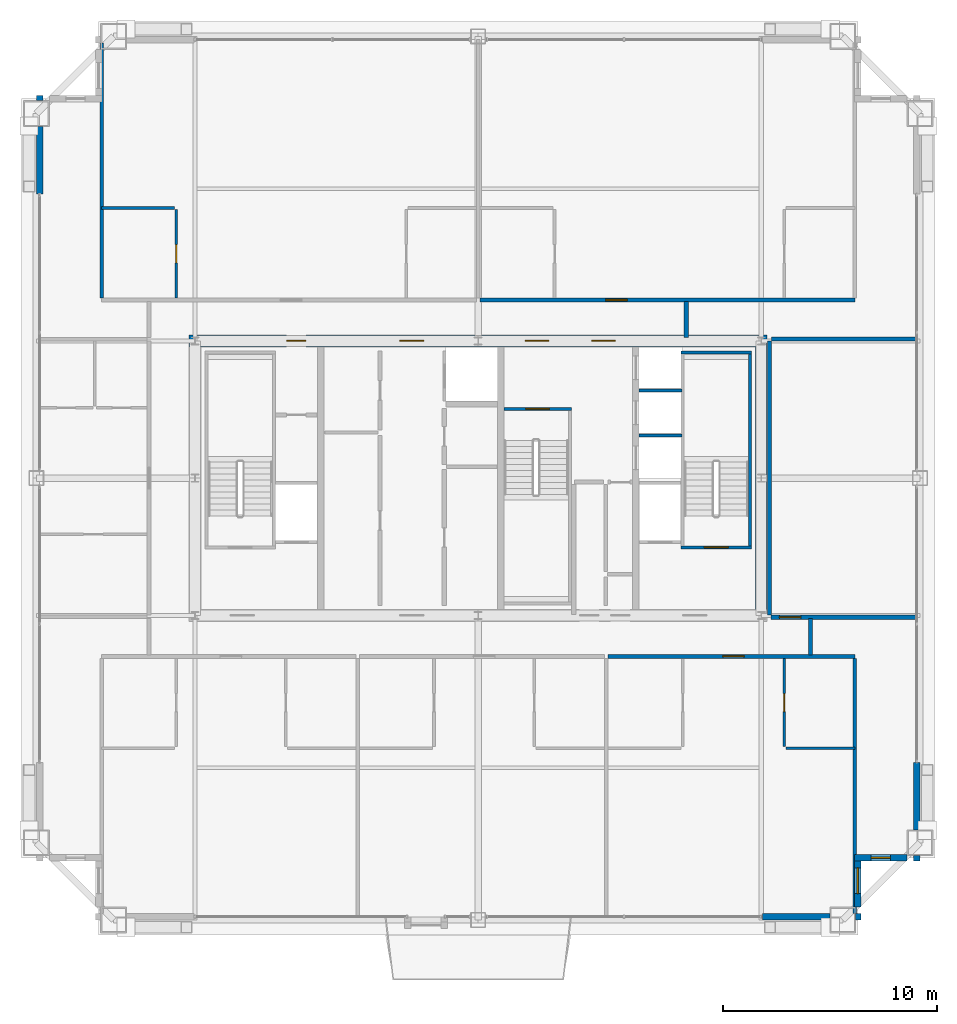
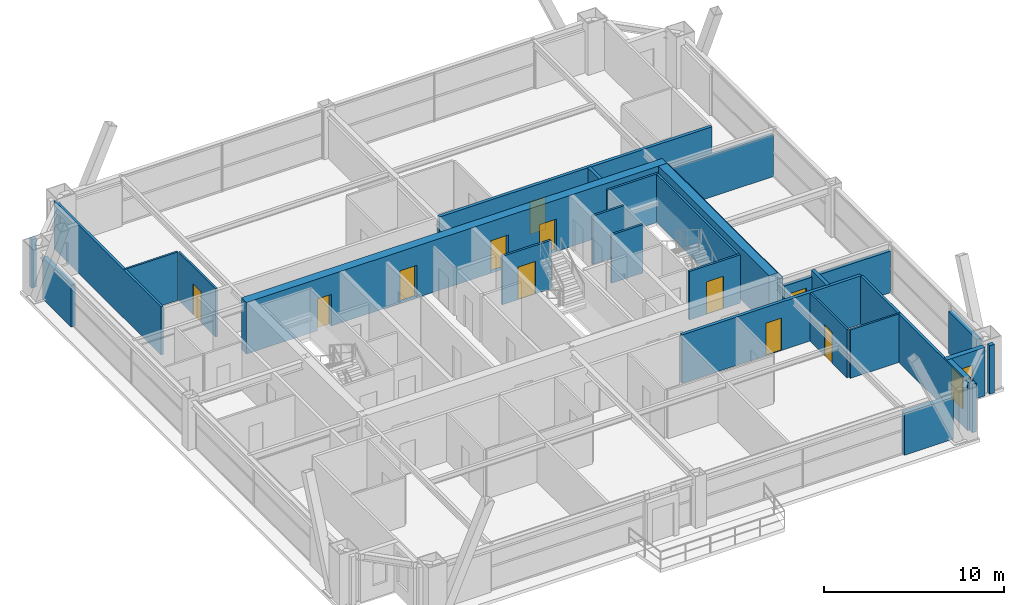
# One storey, part 33 of 35: 29 walls, 11 doors, 2 windows, 13 openings.
"""IFC4 building model written with IfcOpenShell, lengths in metres."""

from ifc_helpers import new_model, si_unit, direction, frame, frame_2d, origin, place, context, subcontext, project, spatial, rectangle, extrude, source, transform, mapped, material, layer, layer_set, type_object, element, fill, save


model = new_model("IFC4")

# Units and contexts
model_context = context("Model", 3, precision=1e-05, world=origin(), true_north=direction((0.0, 1.0)))
body_context = subcontext(model_context, "Body", "Model", "MODEL_VIEW")
ifc_project = project(units=[si_unit("LENGTHUNIT", "METRE"), si_unit("AREAUNIT", "SQUARE_METRE"), si_unit("VOLUMEUNIT", "CUBIC_METRE"), si_unit("PLANEANGLEUNIT", "RADIAN"), si_unit("MASSUNIT", "GRAM", prefix="KILO"), si_unit("THERMODYNAMICTEMPERATUREUNIT", "KELVIN"), si_unit("POWERUNIT", "WATT")], contexts=[model_context])

# Site, building, storey
site_placement = place(None, origin())
site = spatial("IfcSite", under=ifc_project, at=site_placement, CompositionType="ELEMENT")
building_placement = place(site_placement, origin())
building = spatial("IfcBuilding", under=site, at=building_placement, Name="Yuzanri Waterfront Tower", CompositionType="ELEMENT")
storey_placement = place(building_placement, frame((0.0, 0.0, 271.60009765625)))
storey = spatial("IfcBuildingStorey", under=building, at=storey_placement, Name="L72", CompositionType="ELEMENT", Elevation=271.60009765625)

# Wall, opening, door
ifc_material_1 = material(Name="Moisture-Resistant Gypsum Stud Wall", Category="gypsum")
ifc_layer_1 = layer(ifc_material_1, 0.1201171875)
ifc_layer_set_1 = layer_set([ifc_layer_1], Name="Moisture-Resistant Gypsum Stud Wall")
wall_type_1 = type_object("IfcWallType", Name="Bathroom and Kitchen Wet Partition 120", PredefinedType="PARTITIONING", material=ifc_layer_set_1)
wall_1_placement = place(storey_placement, frame((51.280029296875, 13.280029296875, 0.0), z_axis=(0.0, 0.0, 1.0), x_axis=(0.0, 1.0, 0.0)))
wall_1 = element("IfcWall", 1, at=wall_1_placement, inside=storey, type_object=wall_type_1, Name="L72 Partition UW-L72-HS3-SUB-2-W", PredefinedType="PARTITIONING", context=body_context, shape_type="SweptSolid", body=[
    extrude(rectangle(XDim=4.10986328125, YDim=0.1201171875, at=frame_2d((2.054931640625, 0.0))), origin(), (0.0, 0.0, 1.0), 3.27978515625),
])
opening_1_placement = place(wall_1_placement, frame((1.6298828125, 0.0, 0.0)))
opening_1 = element("IfcOpeningElement", 2, at=opening_1_placement, cuts=wall_1, Name="Opening ID-0850", PredefinedType="OPENING", context=body_context, shape_type="SweptSolid", body=[
    extrude(rectangle(XDim=0.85009765625, YDim=2.10009765625, at=frame_2d((0.425048828125, 1.050048828125))), frame((0.0, 0.074951171875, 0.0), z_axis=(0.0, -1.0, 0.0), x_axis=(1.0, 0.0, 0.0)), (0.0, 0.0, 1.0), 0.14990234375),
])
ifc_material_2 = material(Name="Moisture-Resistant Lacquered Timber", Category="wood")
door_type_1 = type_object("IfcDoorType", Name="En-Suite Bathroom and Kitchen Swing Door 850x2100", OperationType="NOTDEFINED", PredefinedType="DOOR", material=ifc_material_2)
shared_shape_1 = source(origin(), body_context, "Body", "SweptSolid", [
    extrude(rectangle(XDim=0.85009765625, YDim=2.10009765625, at=frame_2d((0.425048828125, 1.050048828125))), frame((0.0, 0.02490234375, 0.0), z_axis=(0.0, -1.0, 0.0), x_axis=(1.0, 0.0, 0.0)), (0.0, 0.0, 1.0), 0.050048828125),
])
door_1_placement = place(opening_1_placement, origin())
door_1 = element("IfcDoor", 3, at=door_1_placement, inside=storey, type_object=door_type_1, Name="L72 Suite Interior Room Door", OperationType="SINGLE_SWING_LEFT", OverallHeight=2.10009765625, OverallWidth=0.85009765625, PredefinedType="DOOR", context=body_context, shape_type="MappedRepresentation", body=[
    mapped(shared_shape_1, transform((0.0, 0.0, 0.0), scale=1.0)),
])
fill(opening_1, door_1)

wall_2_placement = place(storey_placement, frame((22.919921875, 34.2099609375, 0.0), z_axis=(0.0, 0.0, 1.0), x_axis=(0.0, 1.0, 0.0)))
wall_2 = element("IfcWall", 4, at=wall_2_placement, inside=storey, type_object=wall_type_1, Name="L72 Partition UW-L72-HN1-SUB-1-E", PredefinedType="PARTITIONING", context=body_context, shape_type="SweptSolid", body=[
    extrude(rectangle(XDim=4.110107421875, YDim=0.1201171875, at=frame_2d((2.05517578125, 0.0))), origin(), (0.0, 0.0, 1.0), 3.27978515625),
])
opening_2_placement = place(wall_2_placement, frame((1.6298828125, 0.0, 0.0)))
opening_2 = element("IfcOpeningElement", 5, at=opening_2_placement, cuts=wall_2, Name="Opening ID-0850", PredefinedType="OPENING", context=body_context, shape_type="SweptSolid", body=[
    extrude(rectangle(XDim=0.85009765625, YDim=2.10009765625, at=frame_2d((0.425048828125, 1.050048828125))), frame((0.0, 0.074951171875, 0.0), z_axis=(0.0, -1.0, 0.0), x_axis=(1.0, 0.0, 0.0)), (0.0, 0.0, 1.0), 0.14990234375),
])
door_2_placement = place(opening_2_placement, origin())
door_2 = element("IfcDoor", 6, at=door_2_placement, inside=storey, type_object=door_type_1, Name="L72 Suite Interior Room Door", OperationType="SINGLE_SWING_LEFT", OverallHeight=2.10009765625, OverallWidth=0.85009765625, PredefinedType="DOOR", context=body_context, shape_type="MappedRepresentation", body=[
    mapped(shared_shape_1, transform((0.0, 0.0, 0.0), scale=1.0)),
])
fill(opening_2, door_2)

# Wall, opening, window
ifc_material_3 = material(Name="Honed Chongqing Dark Basalt Stone", Category="masonry")
ifc_layer_2 = layer(ifc_material_3, 0.300048828125)
ifc_layer_set_2 = layer_set([ifc_layer_2], Name="Honed Chongqing Dark Basalt Stone")
wall_type_2 = type_object("IfcWallType", Name="Bronze Rainscreen Insulated Spandrel Portal Wall 300", PredefinedType="SOLIDWALL", material=ifc_layer_set_2)
wall_3_placement = place(storey_placement, frame((54.550048828125, 8.10009765625, 0.0), z_axis=(0.0, 0.0, 1.0), x_axis=(1.0, 0.0, 0.0)))
wall_3 = element("IfcWall", 7, at=wall_3_placement, inside=storey, type_object=wall_type_2, Name="L72 Notched Corner Masonry Wall SE-X", PredefinedType="SOLIDWALL", context=body_context, shape_type="SweptSolid", body=[
    extrude(rectangle(XDim=2.449951171875, YDim=0.300048828125, at=frame_2d((1.22509765625, 0.0))), origin(), (0.0, 0.0, 1.0), 3.27978515625),
])
opening_3_placement = place(wall_3_placement, frame((0.77490234375, 0.0, 0.85009765625)))
opening_3 = element("IfcOpeningElement", 8, at=opening_3_placement, cuts=wall_3, Name="Opening WN-05", PredefinedType="OPENING", context=body_context, shape_type="SweptSolid", body=[
    extrude(rectangle(XDim=0.89990234375, YDim=1.5, at=frame_2d((0.449951171875, 0.75))), frame((0.0, 0.1650390625, 0.0), z_axis=(0.0, -1.0, 0.0), x_axis=(1.0, 0.0, 0.0)), (0.0, 0.0, 1.0), 0.329833984375),
])
ifc_material_4 = material(Name="Double-Silver Low-E Insulated Glass", Category="glass")
window_type_1 = type_object("IfcWindowType", Name="Anodized Bronze Service and Stairwell Smoke-Vent Window 900x1500", PartitioningType="SINGLE_PANEL", PredefinedType="WINDOW", material=ifc_material_4)
shared_shape_2 = source(origin(), body_context, "Body", "SweptSolid", [
    extrude(rectangle(XDim=0.89990234375, YDim=1.5, at=frame_2d((0.449951171875, 0.75))), frame((0.0, 0.030029296875, 0.0), z_axis=(0.0, -1.0, 0.0), x_axis=(1.0, 0.0, 0.0)), (0.0, 0.0, 1.0), 0.06005859375),
])
window_1_placement = place(opening_3_placement, origin())
window_1 = element("IfcWindow", 9, at=window_1_placement, inside=storey, type_object=window_type_1, Name="L72 Notched Corner Window SE-X", OverallHeight=1.5, OverallWidth=0.89990234375, PartitioningType="SINGLE_PANEL", PredefinedType="WINDOW", context=body_context, shape_type="MappedRepresentation", body=[
    mapped(shared_shape_2, transform((0.0, 0.0, 0.0), scale=1.0)),
])
fill(opening_3, window_1)

wall_4_placement = place(storey_placement, frame((54.699951171875, 5.800048828125, 0.0), z_axis=(0.0, 0.0, 1.0), x_axis=(0.0, 1.0, 0.0)))
wall_4 = element("IfcWall", 10, at=wall_4_placement, inside=storey, type_object=wall_type_2, Name="L72 Notched Corner Masonry Wall SE-Y", PredefinedType="SOLIDWALL", context=body_context, shape_type="SweptSolid", body=[
    extrude(rectangle(XDim=2.449951171875, YDim=0.300048828125, at=frame_2d((1.22509765625, 0.0))), origin(), (0.0, 0.0, 1.0), 3.27978515625),
])
opening_4_placement = place(wall_4_placement, frame((0.625, 0.0, 0.85009765625)))
opening_4 = element("IfcOpeningElement", 11, at=opening_4_placement, cuts=wall_4, Name="Opening WN-02", PredefinedType="OPENING", context=body_context, shape_type="SweptSolid", body=[
    extrude(rectangle(XDim=1.199951171875, YDim=2.10009765625, at=frame_2d((0.60009765625, 1.050048828125))), frame((0.0, 0.1650390625, 0.0), z_axis=(0.0, -1.0, 0.0), x_axis=(1.0, 0.0, 0.0)), (0.0, 0.0, 1.0), 0.329833984375),
])
ifc_material_5 = material(Name="Double-Silver Low-E Insulated Glass", Category="glass")
window_type_2 = type_object("IfcWindowType", Name="Anodized Bronze Notched Corner Deep-Set Slot Window 1200x2100", PartitioningType="SINGLE_PANEL", PredefinedType="WINDOW", material=ifc_material_5)
shared_shape_3 = source(origin(), body_context, "Body", "SweptSolid", [
    extrude(rectangle(XDim=1.199951171875, YDim=2.10009765625, at=frame_2d((0.60009765625, 1.050048828125))), frame((0.0, 0.030029296875, 0.0), z_axis=(0.0, -1.0, 0.0), x_axis=(1.0, 0.0, 0.0)), (0.0, 0.0, 1.0), 0.06005859375),
])
window_2_placement = place(opening_4_placement, origin())
window_2 = element("IfcWindow", 12, at=window_2_placement, inside=storey, type_object=window_type_2, Name="L72 Notched Corner Window SE-Y", OverallHeight=2.10009765625, OverallWidth=1.199951171875, PartitioningType="SINGLE_PANEL", PredefinedType="WINDOW", context=body_context, shape_type="MappedRepresentation", body=[
    mapped(shared_shape_3, transform((0.0, 0.0, 0.0), scale=1.0)),
])
fill(opening_4, window_2)

# Wall, openings, doors
ifc_material_6 = material(Name="Concrete C50", Category="concrete")
ifc_layer_3 = layer(ifc_material_6, 0.550048828125)
ifc_layer_set_3 = layer_set([ifc_layer_3], Name="Concrete C50")
wall_type_3 = type_object("IfcWallType", Name="Concrete C50 Upper-Mid Zone Core Shear Wall 550", PredefinedType="SHEAR", material=ifc_layer_set_3)
wall_5_placement = place(storey_placement, frame((23.52490234375, 32.199951171875, 0.0), z_axis=(0.0, 0.0, 1.0), x_axis=(1.0, 0.0, 0.0)))
wall_5 = element("IfcWall", 13, at=wall_5_placement, inside=storey, type_object=wall_type_3, Name="L72 Core North Shear Wall", PredefinedType="SHEAR", context=body_context, shape_type="SweptSolid", body=[
    extrude(rectangle(XDim=26.9501953125, YDim=0.550048828125, at=frame_2d((13.47509765625, 0.0))), origin(), (0.0, 0.0, 1.0), 3.5),
])
opening_5_placement = place(wall_5_placement, frame((4.544921875, 0.0, 0.0)))
opening_5 = element("IfcOpeningElement", 14, at=opening_5_placement, cuts=wall_5, Name="Opening FD-0900", PredefinedType="OPENING", context=body_context, shape_type="SweptSolid", body=[
    extrude(rectangle(XDim=0.89990234375, YDim=2.14990234375, at=frame_2d((0.449951171875, 1.074951171875))), frame((0.0, 0.2900390625, 0.0), z_axis=(0.0, -1.0, 0.0), x_axis=(1.0, 0.0, 0.0)), (0.0, 0.0, 1.0), 0.579833984375),
])
opening_6_placement = place(wall_5_placement, frame((9.824951171875, 0.0, 0.0)))
opening_6 = element("IfcOpeningElement", 15, at=opening_6_placement, cuts=wall_5, Name="Opening FD-1100", PredefinedType="OPENING", context=body_context, shape_type="SweptSolid", body=[
    extrude(rectangle(XDim=1.10009765625, YDim=2.199951171875, at=frame_2d((0.550048828125, 1.10009765625))), frame((0.0, 0.2900390625, 0.0), z_axis=(0.0, -1.0, 0.0), x_axis=(1.0, 0.0, 0.0)), (0.0, 0.0, 1.0), 0.579833984375),
])
opening_7_placement = place(wall_5_placement, frame((15.675048828125, 0.0, 0.0)))
opening_7 = element("IfcOpeningElement", 16, at=opening_7_placement, cuts=wall_5, Name="Opening FD-1100", PredefinedType="OPENING", context=body_context, shape_type="SweptSolid", body=[
    extrude(rectangle(XDim=1.10009765625, YDim=2.199951171875, at=frame_2d((0.550048828125, 1.10009765625))), frame((0.0, 0.2900390625, 0.0), z_axis=(0.0, -1.0, 0.0), x_axis=(1.0, 0.0, 0.0)), (0.0, 0.0, 1.0), 0.579833984375),
])
opening_8_placement = place(wall_5_placement, frame((18.77490234375, 0.0, 0.0)))
opening_8 = element("IfcOpeningElement", 17, at=opening_8_placement, cuts=wall_5, Name="Opening FD-1100", PredefinedType="OPENING", context=body_context, shape_type="SweptSolid", body=[
    extrude(rectangle(XDim=1.10009765625, YDim=2.199951171875, at=frame_2d((0.550048828125, 1.10009765625))), frame((0.0, 0.2900390625, 0.0), z_axis=(0.0, -1.0, 0.0), x_axis=(1.0, 0.0, 0.0)), (0.0, 0.0, 1.0), 0.579833984375),
])
ifc_material_7 = material(Name="Painted Galvanized Fire Steel", Category="steel")
door_type_2 = type_object("IfcDoorType", Name="Smoke-Proof Stair and Lobby Fire Door 1100x2200", OperationType="NOTDEFINED", PredefinedType="DOOR", material=ifc_material_7)
shared_shape_4 = source(origin(), body_context, "Body", "SweptSolid", [
    extrude(rectangle(XDim=1.10009765625, YDim=2.199951171875, at=frame_2d((0.550048828125, 1.10009765625))), frame((0.0, 0.02490234375, 0.0), z_axis=(0.0, -1.0, 0.0), x_axis=(1.0, 0.0, 0.0)), (0.0, 0.0, 1.0), 0.050048828125),
])
door_3_placement = place(opening_6_placement, origin())
door_3 = element("IfcDoor", 18, at=door_3_placement, inside=storey, type_object=door_type_2, Name="L72 Central Lift Lobby North Door", OperationType="SINGLE_SWING_RIGHT", OverallHeight=2.199951171875, OverallWidth=1.10009765625, PredefinedType="DOOR", context=body_context, shape_type="MappedRepresentation", body=[
    mapped(shared_shape_4, transform((0.0, 0.0, 0.0), scale=1.0)),
])
fill(opening_6, door_3)
door_4_placement = place(opening_7_placement, origin())
door_4 = element("IfcDoor", 19, at=door_4_placement, inside=storey, type_object=door_type_2, Name="L72 North Stair Lobby Door", OperationType="SINGLE_SWING_LEFT", OverallHeight=2.199951171875, OverallWidth=1.10009765625, PredefinedType="DOOR", context=body_context, shape_type="MappedRepresentation", body=[
    mapped(shared_shape_4, transform((0.0, 0.0, 0.0), scale=1.0)),
])
fill(opening_7, door_4)
door_5_placement = place(opening_8_placement, origin())
door_5 = element("IfcDoor", 20, at=door_5_placement, inside=storey, type_object=door_type_2, Name="L72 High-Rise Lift Lobby North Door", OperationType="SINGLE_SWING_RIGHT", OverallHeight=2.199951171875, OverallWidth=1.10009765625, PredefinedType="DOOR", context=body_context, shape_type="MappedRepresentation", body=[
    mapped(shared_shape_4, transform((0.0, 0.0, 0.0), scale=1.0)),
])
fill(opening_8, door_5)
ifc_material_8 = material(Name="Painted Galvanized Fire Steel", Category="steel")
door_type_3 = type_object("IfcDoorType", Name="Riser and Service Room Fire Door 900x2150", OperationType="NOTDEFINED", PredefinedType="DOOR", material=ifc_material_8)
shared_shape_5 = source(origin(), body_context, "Body", "SweptSolid", [
    extrude(rectangle(XDim=0.89990234375, YDim=2.14990234375, at=frame_2d((0.449951171875, 1.074951171875))), frame((0.0, 0.02490234375, 0.0), z_axis=(0.0, -1.0, 0.0), x_axis=(1.0, 0.0, 0.0)), (0.0, 0.0, 1.0), 0.050048828125),
])
door_6_placement = place(opening_5_placement, origin())
door_6 = element("IfcDoor", 21, at=door_6_placement, inside=storey, type_object=door_type_3, Name="L72 Telecom Riser Door", OperationType="SINGLE_SWING_LEFT", OverallHeight=2.14990234375, OverallWidth=0.89990234375, PredefinedType="DOOR", context=body_context, shape_type="MappedRepresentation", body=[
    mapped(shared_shape_5, transform((0.0, 0.0, 0.0), scale=1.0)),
])
fill(opening_5, door_6)

# Wall, opening, door
ifc_material_9 = material(Name="Concrete C40", Category="concrete")
ifc_layer_4 = layer(ifc_material_9, 0.139892578125)
ifc_layer_set_4 = layer_set([ifc_layer_4], Name="Concrete C40")
wall_type_4 = type_object("IfcWallType", Name="Core Stair Liner and Hoistway Shaft Wall 140", PredefinedType="SOLIDWALL", material=ifc_layer_set_4)
wall_6_placement = place(storey_placement, frame((46.4599609375, 22.570068359375, 0.0), z_axis=(0.0, 0.0, 1.0), x_axis=(1.0, 0.0, 0.0)))
wall_6 = element("IfcWall", 22, at=wall_6_placement, inside=storey, type_object=wall_type_4, Name="L72 Shaft Wall STW-L72-ST-02-S", PredefinedType="SOLIDWALL", context=body_context, shape_type="SweptSolid", body=[
    extrude(rectangle(XDim=3.280029296875, YDim=0.139892578125, at=frame_2d((1.64013671875, 0.0))), origin(), (0.0, 0.0, 1.0), 3.27978515625),
])
opening_9_placement = place(wall_6_placement, frame((1.090087890625, 0.0, 0.0)))
opening_9 = element("IfcOpeningElement", 23, at=opening_9_placement, cuts=wall_6, Name="Opening FD-1100", PredefinedType="OPENING", context=body_context, shape_type="SweptSolid", body=[
    extrude(rectangle(XDim=1.10009765625, YDim=2.199951171875, at=frame_2d((0.550048828125, 1.10009765625))), frame((0.0, 0.0849609375, 0.0), z_axis=(0.0, -1.0, 0.0), x_axis=(1.0, 0.0, 0.0)), (0.0, 0.0, 1.0), 0.169677734375),
])
door_7_placement = place(opening_9_placement, origin())
door_7 = element("IfcDoor", 24, at=door_7_placement, inside=storey, type_object=door_type_2, Name="L72 Stair ST-02 Fire Door", OperationType="SINGLE_SWING_RIGHT", OverallHeight=2.199951171875, OverallWidth=1.10009765625, PredefinedType="DOOR", context=body_context, shape_type="MappedRepresentation", body=[
    mapped(shared_shape_4, transform((0.0, 0.0, 0.0), scale=1.0)),
])
fill(opening_9, door_7)

wall_7_placement = place(storey_placement, frame((38.199951171875, 29.030029296875, 0.0), z_axis=(0.0, 0.0, 1.0), x_axis=(1.0, 0.0, 0.0)))
wall_7 = element("IfcWall", 25, at=wall_7_placement, inside=storey, type_object=wall_type_4, Name="L72 Shaft Wall STW-L72-ST-03-N", PredefinedType="SOLIDWALL", context=body_context, shape_type="SweptSolid", body=[
    extrude(rectangle(XDim=3.14013671875, YDim=0.139892578125, at=frame_2d((1.570068359375, 0.0))), origin(), (0.0, 0.0, 1.0), 3.27978515625),
])
opening_10_placement = place(wall_7_placement, frame((1.02001953125, 0.0, 0.0)))
opening_10 = element("IfcOpeningElement", 26, at=opening_10_placement, cuts=wall_7, Name="Opening FD-1100", PredefinedType="OPENING", context=body_context, shape_type="SweptSolid", body=[
    extrude(rectangle(XDim=1.10009765625, YDim=2.199951171875, at=frame_2d((0.550048828125, 1.10009765625))), frame((0.0, 0.0849609375, 0.0), z_axis=(0.0, -1.0, 0.0), x_axis=(1.0, 0.0, 0.0)), (0.0, 0.0, 1.0), 0.169677734375),
])
door_8_placement = place(opening_10_placement, origin())
door_8 = element("IfcDoor", 27, at=door_8_placement, inside=storey, type_object=door_type_2, Name="L72 Stair ST-03 Fire Door", OperationType="SINGLE_SWING_LEFT", OverallHeight=2.199951171875, OverallWidth=1.10009765625, PredefinedType="DOOR", context=body_context, shape_type="MappedRepresentation", body=[
    mapped(shared_shape_4, transform((0.0, 0.0, 0.0), scale=1.0)),
])
fill(opening_10, door_8)

ifc_material_10 = material(Name="Autoclaved Aerated Concrete Blockwork", Category="masonry")
ifc_layer_5 = layer(ifc_material_10, 0.199951171875)
ifc_layer_set_5 = layer_set([ifc_layer_5], Name="Autoclaved Aerated Concrete Blockwork")
wall_type_5 = type_object("IfcWallType", Name="Corridor and Unit Party Fire Wall 200", PredefinedType="PARTITIONING", material=ifc_layer_set_5)
wall_8_placement = place(storey_placement, frame((43.050048828125, 17.489990234375, 0.0), z_axis=(0.0, 0.0, 1.0), x_axis=(1.0, 0.0, 0.0)))
wall_8 = element("IfcWall", 28, at=wall_8_placement, inside=storey, type_object=wall_type_5, Name="L72 Partition UW-L72-HS3-CN", PredefinedType="PARTITIONING", context=body_context, shape_type="SweptSolid", body=[
    extrude(rectangle(XDim=11.510009765625, YDim=0.199951171875, at=frame_2d((5.7548828125, 0.0))), origin(), (0.0, 0.0, 1.0), 3.27978515625),
])
opening_11_placement = place(wall_8_placement, frame((5.35498046875, 0.0, 0.0)))
opening_11 = element("IfcOpeningElement", 29, at=opening_11_placement, cuts=wall_8, Name="Opening FD-1000", PredefinedType="OPENING", context=body_context, shape_type="SweptSolid", body=[
    extrude(rectangle(XDim=1.0, YDim=2.199951171875, at=frame_2d((0.5, 1.10009765625))), frame((0.0, 0.11474609375, 0.0), z_axis=(0.0, -1.0, 0.0), x_axis=(1.0, 0.0, 0.0)), (0.0, 0.0, 1.0), 0.229736328125),
])
ifc_material_11 = material(Name="Engineered Oak Fire-Rated Timber", Category="wood")
door_type_4 = type_object("IfcDoorType", Name="Guestroom and Apartment Entrance Fire Door 1000x2200", OperationType="NOTDEFINED", PredefinedType="DOOR", material=ifc_material_11)
shared_shape_6 = source(origin(), body_context, "Body", "SweptSolid", [
    extrude(rectangle(XDim=1.0, YDim=2.199951171875, at=frame_2d((0.5, 1.10009765625))), frame((0.0, 0.02490234375, 0.0), z_axis=(0.0, -1.0, 0.0), x_axis=(1.0, 0.0, 0.0)), (0.0, 0.0, 1.0), 0.050048828125),
])
door_9_placement = place(opening_11_placement, origin())
door_9 = element("IfcDoor", 30, at=door_9_placement, inside=storey, type_object=door_type_4, Name="L72 Studio Living and Sleeping Room Entrance Door", OperationType="SINGLE_SWING_LEFT", OverallHeight=2.199951171875, OverallWidth=1.0, PredefinedType="DOOR", context=body_context, shape_type="MappedRepresentation", body=[
    mapped(shared_shape_6, transform((0.0, 0.0, 0.0), scale=1.0)),
])
fill(opening_11, door_9)

wall_9_placement = place(storey_placement, frame((37.080078125, 34.110107421875, 0.0), z_axis=(0.0, 0.0, 1.0), x_axis=(1.0, 0.0, 0.0)))
wall_9 = element("IfcWall", 31, at=wall_9_placement, inside=storey, type_object=wall_type_5, Name="L72 Partition UW-L72-HN2-CS", PredefinedType="PARTITIONING", context=body_context, shape_type="SweptSolid", body=[
    extrude(rectangle(XDim=17.47998046875, YDim=0.199951171875, at=frame_2d((8.739990234375, 0.0))), origin(), (0.0, 0.0, 1.0), 3.27978515625),
])
opening_12_placement = place(wall_9_placement, frame((5.864990234375, 0.0, 0.0)))
opening_12 = element("IfcOpeningElement", 32, at=opening_12_placement, cuts=wall_9, Name="Opening FD-1000", PredefinedType="OPENING", context=body_context, shape_type="SweptSolid", body=[
    extrude(rectangle(XDim=1.0, YDim=2.199951171875, at=frame_2d((0.5, 1.10009765625))), frame((0.0, 0.11474609375, 0.0), z_axis=(0.0, -1.0, 0.0), x_axis=(1.0, 0.0, 0.0)), (0.0, 0.0, 1.0), 0.229736328125),
])
door_10_placement = place(opening_12_placement, origin())
door_10 = element("IfcDoor", 33, at=door_10_placement, inside=storey, type_object=door_type_4, Name="L72 Studio Living and Sleeping Room Entrance Door", OperationType="SINGLE_SWING_LEFT", OverallHeight=2.199951171875, OverallWidth=1.0, PredefinedType="DOOR", context=body_context, shape_type="MappedRepresentation", body=[
    mapped(shared_shape_6, transform((0.0, 0.0, 0.0), scale=1.0)),
])
fill(opening_12, door_10)

wall_10_placement = place(storey_placement, frame((50.64990234375, 19.31005859375, 0.0), z_axis=(0.0, 0.0, 1.0), x_axis=(1.0, 0.0, 0.0)))
wall_10 = element("IfcWall", 34, at=wall_10_placement, inside=storey, type_object=wall_type_5, Name="L72 Partition UW-L72-040-CS", PredefinedType="PARTITIONING", context=body_context, shape_type="SweptSolid", body=[
    extrude(rectangle(XDim=6.800048828125, YDim=0.199951171875, at=frame_2d((3.39990234375, 0.0))), origin(), (0.0, 0.0, 1.0), 2.824951171875),
])
opening_13_placement = place(wall_10_placement, frame((0.39990234375, 0.0, 0.0)))
opening_13 = element("IfcOpeningElement", 35, at=opening_13_placement, cuts=wall_10, Name="Opening FD-1000", PredefinedType="OPENING", context=body_context, shape_type="SweptSolid", body=[
    extrude(rectangle(XDim=1.0, YDim=2.199951171875, at=frame_2d((0.5, 1.10009765625))), frame((0.0, 0.11474609375, 0.0), z_axis=(0.0, -1.0, 0.0), x_axis=(1.0, 0.0, 0.0)), (0.0, 0.0, 1.0), 0.229736328125),
])
door_11_placement = place(opening_13_placement, origin())
door_11 = element("IfcDoor", 36, at=door_11_placement, inside=storey, type_object=door_type_4, Name="L72 High-Rise E Horizon Club Room Entrance Door", OperationType="SINGLE_SWING_RIGHT", OverallHeight=2.199951171875, OverallWidth=1.0, PredefinedType="DOOR", context=body_context, shape_type="MappedRepresentation", body=[
    mapped(shared_shape_6, transform((0.0, 0.0, 0.0), scale=1.0)),
])
fill(opening_13, door_11)

# Walls
shared_shape_7 = source(origin(), body_context, "Body", "SweptSolid", [
    extrude(rectangle(XDim=12.25, YDim=0.550048828125, at=frame_2d((6.125, 0.0))), origin(), (0.0, 0.0, 1.0), 3.5),
])
wall_11_placement = place(storey_placement, frame((50.199951171875, 19.675048828125, 0.0), z_axis=(0.0, 0.0, 1.0), x_axis=(0.0, 1.0, 0.0)))
element("IfcWall", 37, at=wall_11_placement, inside=storey, type_object=wall_type_3, Name="L72 Core East Shear Wall", PredefinedType="SHEAR", context=body_context, shape_type="MappedRepresentation", body=[
    mapped(shared_shape_7, transform((0.0, 0.0, 0.0), scale=1.0)),
])
shared_shape_8 = source(origin(), body_context, "Body", "SweptSolid", [
    extrude(rectangle(XDim=0.25, YDim=0.300048828125, at=frame_2d((0.125, 0.0))), origin(), (0.0, 0.0, 1.0), 3.27978515625),
])
for number, where, z_axis, x_axis, name in (
    (38, (54.60009765625, 5.35009765625, 0.0), (0.0, 0.0, 1.0), (1.0, 0.0, 0.0), "L72 Corner Column Shoulder Return CSE"),
    (39, (16.550048828125, 43.39990234375, 0.0), (0.0, 0.0, 1.0), (0.0, 1.0, 0.0), "L72 Corner Column Shoulder Return CWN"),
    (40, (57.449951171875, 7.949951171875, 0.0), (0.0, 0.0, 1.0), (0.0, 1.0, 0.0), "L72 Corner Column Shoulder Return CES"),
):
    element("IfcWall", number, at=place(storey_placement, frame(where, z_axis=z_axis, x_axis=x_axis)), inside=storey, type_object=wall_type_2, Name=name, PredefinedType="SOLIDWALL", context=body_context, shape_type="MappedRepresentation", body=[
        mapped(shared_shape_8, transform((0.0, 0.0, 0.0), scale=1.0)),
    ])
shared_shape_9 = source(origin(), body_context, "Body", "SweptSolid", [
    extrude(rectangle(XDim=3.14990234375, YDim=0.300048828125, at=frame_2d((1.574951171875, 0.0))), origin(), (0.0, 0.0, 1.0), 2.8349609375),
])
for number, where, z_axis, x_axis, name in (
    (41, (50.25, 5.35009765625, 0.0), (0.0, 0.0, 1.0), (1.0, 0.0, 0.0), "L72 S Right Braced Masonry Shoulder"),
    (42, (16.550048828125, 39.050048828125, 0.0), (0.0, 0.0, 1.0), (0.0, 1.0, 0.0), "L72 W Right Braced Masonry Shoulder"),
):
    element("IfcWall", number, at=place(storey_placement, frame(where, z_axis=z_axis, x_axis=x_axis)), inside=storey, type_object=wall_type_2, Name=name, PredefinedType="SOLIDWALL", context=body_context, shape_type="MappedRepresentation", body=[
        mapped(shared_shape_9, transform((0.0, 0.0, 0.0), scale=1.0)),
    ])
shared_shape_10 = source(origin(), body_context, "Body", "SweptSolid", [
    extrude(rectangle(XDim=3.150146484375, YDim=0.300048828125, at=frame_2d((1.5751953125, 0.0))), origin(), (0.0, 0.0, 1.0), 2.8349609375),
])
wall_12_placement = place(storey_placement, frame((57.449951171875, 9.39990234375, 0.0), z_axis=(0.0, 0.0, 1.0), x_axis=(0.0, 1.0, 0.0)))
element("IfcWall", 43, at=wall_12_placement, inside=storey, type_object=wall_type_2, Name="L72 E Left Braced Masonry Shoulder", PredefinedType="SOLIDWALL", context=body_context, shape_type="MappedRepresentation", body=[
    mapped(shared_shape_10, transform((0.0, 0.0, 0.0), scale=1.0)),
])
shared_shape_11 = source(origin(), body_context, "Body", "SweptSolid", [
    extrude(rectangle(XDim=2.0, YDim=0.139892578125, at=frame_2d((1.0, 0.0))), origin(), (0.0, 0.0, 1.0), 3.27978515625),
])
for number, where, z_axis, x_axis, name in (
    (44, (44.5, 27.800048828125, 0.0), (0.0, 0.0, 1.0), (1.0, 0.0, 0.0), "L72 Lift PL-09 Divider Wall"),
    (45, (44.5, 29.89990234375, 0.0), (0.0, 0.0, 1.0), (1.0, 0.0, 0.0), "L72 Lift PL-10 Divider Wall"),
):
    element("IfcWall", number, at=place(storey_placement, frame(where, z_axis=z_axis, x_axis=x_axis)), inside=storey, type_object=wall_type_4, Name=name, PredefinedType="SOLIDWALL", context=body_context, shape_type="MappedRepresentation", body=[
        mapped(shared_shape_11, transform((0.0, 0.0, 0.0), scale=1.0)),
    ])
shared_shape_12 = source(origin(), body_context, "Body", "SweptSolid", [
    extrude(rectangle(XDim=3.280029296875, YDim=0.139892578125, at=frame_2d((1.64013671875, 0.0))), origin(), (0.0, 0.0, 1.0), 3.27978515625),
])
wall_13_placement = place(storey_placement, frame((46.4599609375, 31.64990234375, 0.0), z_axis=(0.0, 0.0, 1.0), x_axis=(1.0, 0.0, 0.0)))
element("IfcWall", 46, at=wall_13_placement, inside=storey, type_object=wall_type_4, Name="L72 Stair ST-02 North Shaft Wall", PredefinedType="SOLIDWALL", context=body_context, shape_type="MappedRepresentation", body=[
    mapped(shared_shape_12, transform((0.0, 0.0, 0.0), scale=1.0)),
])
shared_shape_13 = source(origin(), body_context, "Body", "SweptSolid", [
    extrude(rectangle(XDim=8.940185546875, YDim=0.139892578125, at=frame_2d((4.47021484375, 0.0))), origin(), (0.0, 0.0, 1.0), 3.27978515625),
])
wall_14_placement = place(storey_placement, frame((49.669921875, 22.639892578125, 0.0), z_axis=(0.0, 0.0, 1.0), x_axis=(0.0, 1.0, 0.0)))
element("IfcWall", 47, at=wall_14_placement, inside=storey, type_object=wall_type_4, Name="L72 Stair ST-02 East Shaft Wall", PredefinedType="SOLIDWALL", context=body_context, shape_type="MappedRepresentation", body=[
    mapped(shared_shape_13, transform((0.0, 0.0, 0.0), scale=1.0)),
])
shared_shape_14 = source(origin(), body_context, "Body", "SweptSolid", [
    extrude(rectangle(XDim=3.400146484375, YDim=0.1201171875, at=frame_2d((1.7001953125, 0.0))), origin(), (0.0, 0.0, 1.0), 3.27978515625),
])
wall_15_placement = place(storey_placement, frame((19.43994140625, 38.39990234375, 0.0), z_axis=(0.0, 0.0, 1.0), x_axis=(1.0, 0.0, 0.0)))
element("IfcWall", 48, at=wall_15_placement, inside=storey, type_object=wall_type_1, Name="L72 Partition UW-L72-HN1-SUB-1-N", PredefinedType="PARTITIONING", context=body_context, shape_type="MappedRepresentation", body=[
    mapped(shared_shape_14, transform((0.0, 0.0, 0.0), scale=1.0)),
])
shared_shape_15 = source(origin(), body_context, "Body", "SweptSolid", [
    extrude(rectangle(XDim=3.199951171875, YDim=0.1201171875, at=frame_2d((1.60009765625, 0.0))), origin(), (0.0, 0.0, 1.0), 3.27978515625),
])
wall_16_placement = place(storey_placement, frame((51.360107421875, 13.199951171875, 0.0), z_axis=(0.0, 0.0, 1.0), x_axis=(1.0, 0.0, 0.0)))
element("IfcWall", 49, at=wall_16_placement, inside=storey, type_object=wall_type_1, Name="L72 Partition UW-L72-HS3-SUB-2-S", PredefinedType="PARTITIONING", context=body_context, shape_type="MappedRepresentation", body=[
    mapped(shared_shape_15, transform((0.0, 0.0, 0.0), scale=1.0)),
])
ifc_material_12 = material(Name="Gypsum Fireboard Acoustic Stud Wall", Category="gypsum")
ifc_layer_6 = layer(ifc_material_12, 0.159912109375)
ifc_layer_set_6 = layer_set([ifc_layer_6], Name="Gypsum Fireboard Acoustic Stud Wall")
wall_type_6 = type_object("IfcWallType", Name="Acoustic Suite Demising Partition 160", PredefinedType="PARTITIONING", material=ifc_layer_set_6)
shared_shape_16 = source(origin(), body_context, "Body", "SweptSolid", [
    extrude(rectangle(XDim=11.89013671875, YDim=0.159912109375, at=frame_2d((5.945068359375, 0.0))), origin(), (0.0, 0.0, 1.0), 3.27978515625),
])
wall_17_placement = place(storey_placement, frame((19.449951171875, 34.2099609375, 0.0), z_axis=(0.0, 0.0, 1.0), x_axis=(0.0, 1.0, 0.0)))
element("IfcWall", 50, at=wall_17_placement, inside=storey, type_object=wall_type_6, Name="L72 North Band West End Wall", PredefinedType="PARTITIONING", context=body_context, shape_type="MappedRepresentation", body=[
    mapped(shared_shape_16, transform((0.0, 0.0, 0.0), scale=1.0)),
])
shared_shape_17 = source(origin(), body_context, "Body", "SweptSolid", [
    extrude(rectangle(XDim=1.699951171875, YDim=0.199951171875, at=frame_2d((0.85009765625, 0.0))), origin(), (0.0, 0.0, 1.0), 3.27978515625),
])
for number, where, z_axis, x_axis, name in (
    (51, (46.699951171875, 32.35009765625, 0.0), (0.0, 0.0, 1.0), (0.0, 1.0, 0.0), "L72 North Foyer East End Wall"),
    (52, (52.5, 17.550048828125, 0.0), (0.0, 0.0, 1.0), (0.0, 1.0, 0.0), "L72 South Foyer East End Wall"),
):
    element("IfcWall", number, at=place(storey_placement, frame(where, z_axis=z_axis, x_axis=x_axis)), inside=storey, type_object=wall_type_5, Name=name, PredefinedType="PARTITIONING", context=body_context, shape_type="MappedRepresentation", body=[
        mapped(shared_shape_17, transform((0.0, 0.0, 0.0), scale=1.0)),
    ])
shared_shape_18 = source(origin(), body_context, "Body", "SweptSolid", [
    extrude(rectangle(XDim=11.889892578125, YDim=0.159912109375, at=frame_2d((5.94482421875, 0.0))), origin(), (0.0, 0.0, 1.0), 3.27978515625),
])
wall_18_placement = place(storey_placement, frame((54.550048828125, 5.5, 0.0), z_axis=(0.0, 0.0, 1.0), x_axis=(0.0, 1.0, 0.0)))
element("IfcWall", 53, at=wall_18_placement, inside=storey, type_object=wall_type_6, Name="L72 South Band East End Wall", PredefinedType="PARTITIONING", context=body_context, shape_type="MappedRepresentation", body=[
    mapped(shared_shape_18, transform((0.0, 0.0, 0.0), scale=1.0)),
])
shared_shape_19 = source(origin(), body_context, "Body", "SweptSolid", [
    extrude(rectangle(XDim=6.764892578125, YDim=0.199951171875, at=frame_2d((3.38232421875, 0.0))), origin(), (0.0, 0.0, 1.0), 2.824951171875),
])
wall_19_placement = place(storey_placement, frame((50.68505859375, 32.2900390625, 0.0), z_axis=(0.0, 0.0, 1.0), x_axis=(1.0, 0.0, 0.0)))
element("IfcWall", 54, at=wall_19_placement, inside=storey, type_object=wall_type_5, Name="L72-040 Wing North Wall", PredefinedType="PARTITIONING", context=body_context, shape_type="MappedRepresentation", body=[
    mapped(shared_shape_19, transform((0.0, 0.0, 0.0), scale=1.0)),
])
shared_shape_20 = source(origin(), body_context, "Body", "SweptSolid", [
    extrude(rectangle(XDim=12.780029296875, YDim=0.199951171875, at=frame_2d((6.39013671875, 0.0))), origin(), (0.0, 0.0, 1.0), 3.27978515625),
])
wall_20_placement = place(storey_placement, frame((50.580078125, 19.409912109375, 0.0), z_axis=(0.0, 0.0, 1.0), x_axis=(0.0, 1.0, 0.0)))
element("IfcWall", 55, at=wall_20_placement, inside=storey, type_object=wall_type_5, Name="L72-040 Wing Inner Core-Side Wall", PredefinedType="PARTITIONING", context=body_context, shape_type="MappedRepresentation", body=[
    mapped(shared_shape_20, transform((0.0, 0.0, 0.0), scale=1.0)),
])

save(model, "model.ifc")
